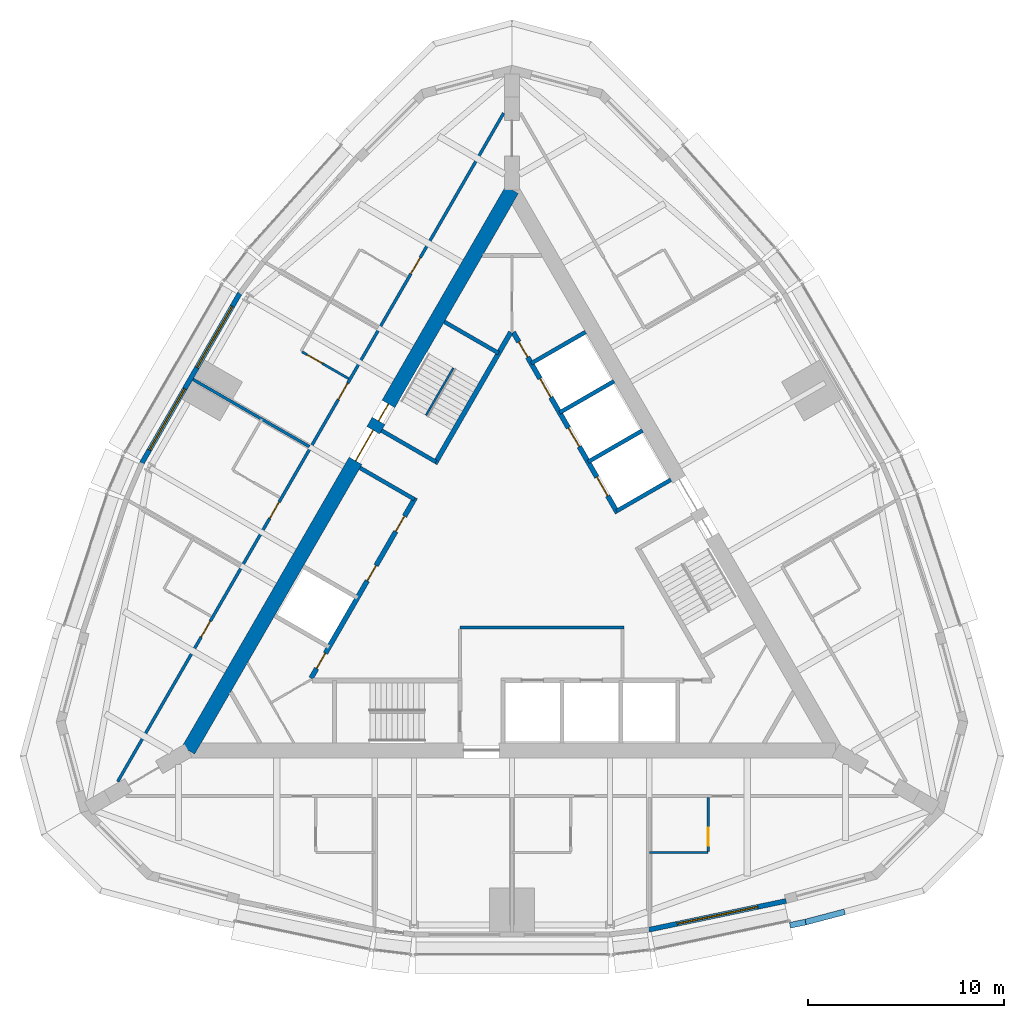
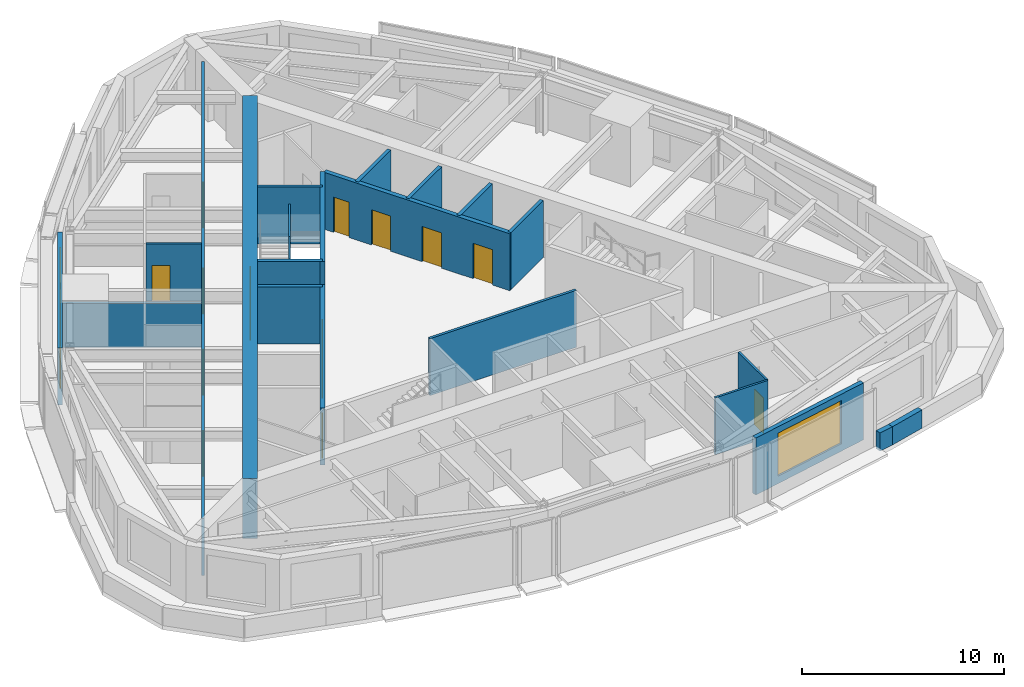
# One storey, part 9 of 13: 22 walls, 15 doors, 3 windows, 18 openings.
"""IFC4 building model written with IfcOpenShell, lengths in metres."""

from ifc_helpers import new_model, si_unit, direction, frame, frame_2d, origin, place, context, subcontext, project, spatial, rectangle, extrude, material, layer, layer_set, type_object, element, fill, save


model = new_model("IFC4")

# Units and contexts
model_context = context("Model", 3, precision=1e-05, world=origin(), true_north=direction((0.0, 1.0)))
body_context = subcontext(model_context, "Body", "Model", "MODEL_VIEW")
ifc_project = project(units=[si_unit("LENGTHUNIT", "METRE"), si_unit("AREAUNIT", "SQUARE_METRE"), si_unit("VOLUMEUNIT", "CUBIC_METRE"), si_unit("PLANEANGLEUNIT", "RADIAN"), si_unit("MASSUNIT", "GRAM", prefix="KILO")], contexts=[model_context])

# Site, building, storey
site_placement = place(None, origin())
site = spatial("IfcSite", under=ifc_project, at=site_placement, CompositionType="ELEMENT")
building_placement = place(site_placement, origin())
building = spatial("IfcBuilding", under=site, at=building_placement, Name="Trikona Tower", CompositionType="ELEMENT")
storey_placement = place(building_placement, frame((0.0, 0.0, 239.300048828125)))
storey = spatial("IfcBuildingStorey", under=building, at=storey_placement, Name="L63", CompositionType="ELEMENT", Elevation=239.300048828125)

# Wall
ifc_material_1 = material(Name="Metal stud and cement board", Category="gypsum")
ifc_layer_1 = layer(ifc_material_1, 0.1201171875)
ifc_layer_set_1 = layer_set([ifc_layer_1], Name="Bathroom wall 120")
wall_type_1 = type_object("IfcWallType", Name="Bathroom wall 120", PredefinedType="PLUMBINGWALL", material=ifc_layer_set_1)
wall_1_placement = place(storey_placement, frame((7.0, -14.726318359375, 0.0), z_axis=(0.0, 0.0, 1.0), x_axis=(1.0, 0.0, 0.0)))
element("IfcWall", 1, at=wall_1_placement, inside=storey, type_object=wall_type_1, Name="Bathroom wall 6303", PredefinedType="PLUMBINGWALL", context=body_context, shape_type="SweptSolid", body=[
    extrude(rectangle(XDim=3.0, YDim=0.1201171875, at=frame_2d((1.5, 0.0))), origin(), (0.0, 0.0, 1.0), 3.43505859375),
])

# Wall, opening, door
wall_2_placement = place(storey_placement, frame((10.0, -11.92626953125, 0.0), z_axis=(0.0, 0.0, 1.0), x_axis=(0.0, -1.0, 0.0)))
wall_2 = element("IfcWall", 2, at=wall_2_placement, inside=storey, type_object=wall_type_1, Name="Bathroom wall 6303", PredefinedType="PLUMBINGWALL", context=body_context, shape_type="SweptSolid", body=[
    extrude(rectangle(XDim=2.739990234375, YDim=0.1201171875, at=frame_2d((1.3701171875, 0.0))), origin(), (0.0, 0.0, 1.0), 3.43505859375),
])
opening_1_placement = place(wall_2_placement, frame((1.550048828125, 0.0, 0.0)))
opening_1 = element("IfcOpeningElement", 3, at=opening_1_placement, cuts=wall_2, Name="Opening D2", PredefinedType="OPENING", context=body_context, shape_type="SweptSolid", body=[
    extrude(rectangle(XDim=0.89990234375, YDim=2.1298828125, at=frame_2d((0.449951171875, 1.06494140625))), frame((0.0, 0.070068359375, 0.0), z_axis=(0.0, -1.0, 0.0), x_axis=(1.0, 0.0, 0.0)), (0.0, 0.0, 1.0), 0.14013671875),
])
ifc_material_2 = material(Name="Steel door frame with solid-core timber leaf", Category="steel")
door_type_1 = type_object("IfcDoorType", Name="Bathroom door 900x2130", OperationType="SLIDING_TO_LEFT", PredefinedType="DOOR", material=ifc_material_2)
door_1_placement = place(opening_1_placement, origin())
door_1 = element("IfcDoor", 4, at=door_1_placement, inside=storey, type_object=door_type_1, Name="Bathroom door 6303", OperationType="SLIDING_TO_LEFT", OverallHeight=2.1298828125, OverallWidth=0.89990234375, PredefinedType="DOOR", context=body_context, shape_type="SweptSolid", body=[
    extrude(rectangle(XDim=0.89990234375, YDim=2.1298828125, at=frame_2d((0.449951171875, 1.06494140625))), frame((0.0, 0.02490234375, 0.0), z_axis=(0.0, -1.0, 0.0), x_axis=(1.0, 0.0, 0.0)), (0.0, 0.0, 1.0), 0.050048828125),
])
fill(opening_1, door_1)

wall_3_placement = place(storey_placement, frame((-8.32861328125, 9.42724609375, 0.0), z_axis=(0.0, 0.0, 1.0), x_axis=(-0.866035715982, 0.499982138324, 0.0)))
wall_3 = element("IfcWall", 5, at=wall_3_placement, inside=storey, type_object=wall_type_1, Name="Bathroom wall 6307", PredefinedType="PLUMBINGWALL", context=body_context, shape_type="SweptSolid", body=[
    extrude(rectangle(XDim=2.73974609375, YDim=0.1201171875, at=frame_2d((1.369873046875, 0.0))), origin(), (0.0, 0.0, 1.0), 3.43505859375),
])
opening_2_placement = place(wall_3_placement, frame((1.550048828125, 0.0, 0.0)))
opening_2 = element("IfcOpeningElement", 6, at=opening_2_placement, cuts=wall_3, Name="Opening D2", PredefinedType="OPENING", context=body_context, shape_type="SweptSolid", body=[
    extrude(rectangle(XDim=0.89990234375, YDim=2.1298828125, at=frame_2d((0.449951171875, 1.06494140625))), frame((0.0, 0.070068359375, 0.0), z_axis=(0.0, -1.0, 0.0), x_axis=(1.0, 0.0, 0.0)), (0.0, 0.0, 1.0), 0.14013671875),
])
door_2_placement = place(opening_2_placement, origin())
door_2 = element("IfcDoor", 7, at=door_2_placement, inside=storey, type_object=door_type_1, Name="Bathroom door 6307", OperationType="SLIDING_TO_LEFT", OverallHeight=2.1298828125, OverallWidth=0.89990234375, PredefinedType="DOOR", context=body_context, shape_type="SweptSolid", body=[
    extrude(rectangle(XDim=0.89990234375, YDim=2.1298828125, at=frame_2d((0.449951171875, 1.06494140625))), frame((0.0, 0.02490234375, 0.0), z_axis=(0.0, -1.0, 0.0), x_axis=(1.0, 0.0, 0.0)), (0.0, 0.0, 1.0), 0.050048828125),
])
fill(opening_2, door_2)

# Wall, openings, doors
ifc_material_3 = material(Name="Concrete f'c 10000 psi", Category="concrete")
ifc_layer_2 = layer(ifc_material_3, 0.75)
ifc_layer_set_2 = layer_set([ifc_layer_2], Name="Core wall 750")
wall_type_2 = type_object("IfcWallType", Name="Core wall 750", PredefinedType="SHEAR", material=ifc_layer_set_2)
wall_4_placement = place(storey_placement, frame((0.0, 19.052490234375, 0.0), z_axis=(0.0, 0.0, 1.0), x_axis=(-0.499999749417, -0.866025548458, 0.0)))
wall_4 = element("IfcWall", 8, at=wall_4_placement, inside=storey, type_object=wall_type_2, Name="Core wall C", PredefinedType="SHEAR", context=body_context, shape_type="SweptSolid", body=[
    extrude(rectangle(XDim=33.0, YDim=0.75, at=frame_2d((16.5, 0.0))), origin(), (0.0, 0.0, 1.0), 3.599853515625),
])
opening_3_placement = place(wall_4_placement, frame((14.14990234375, 0.0, 0.0)))
opening_3 = element("IfcOpeningElement", 9, at=opening_3_placement, cuts=wall_4, Name="Opening D6", PredefinedType="OPENING", context=body_context, shape_type="SweptSolid", body=[
    extrude(rectangle(XDim=1.800048828125, YDim=2.1298828125, at=frame_2d((0.89990234375, 1.06494140625))), frame((0.0, 0.385009765625, 0.0), z_axis=(0.0, -1.0, 0.0), x_axis=(1.0, 0.0, 0.0)), (0.0, 0.0, 1.0), 0.77001953125),
])
opening_4_placement = place(wall_4_placement, frame((12.60009765625, 0.0, 0.0)))
opening_4 = element("IfcOpeningElement", 10, at=opening_4_placement, cuts=wall_4, Name="Opening D5", PredefinedType="OPENING", context=body_context, shape_type="SweptSolid", body=[
    extrude(rectangle(XDim=1.0, YDim=2.1298828125, at=frame_2d((0.5, 1.06494140625))), frame((0.0, 0.385009765625, 0.0), z_axis=(0.0, -1.0, 0.0), x_axis=(1.0, 0.0, 0.0)), (0.0, 0.0, 1.0), 0.77001953125),
])
ifc_material_4 = material(Name="Hollow metal door and frame", Category="steel")
door_type_2 = type_object("IfcDoorType", Name="Lobby door pair 1800x2130", OperationType="DOUBLE_DOOR_SINGLE_SWING", PredefinedType="DOOR", material=ifc_material_4)
door_3_placement = place(opening_3_placement, origin())
door_3 = element("IfcDoor", 11, at=door_3_placement, inside=storey, type_object=door_type_2, Name="Lift lobby door C", OperationType="DOUBLE_DOOR_SINGLE_SWING", OverallHeight=2.1298828125, OverallWidth=1.800048828125, PredefinedType="DOOR", context=body_context, shape_type="SweptSolid", body=[
    extrude(rectangle(XDim=1.800048828125, YDim=2.1298828125, at=frame_2d((0.89990234375, 1.06494140625))), frame((0.0, 0.02490234375, 0.0), z_axis=(0.0, -1.0, 0.0), x_axis=(1.0, 0.0, 0.0)), (0.0, 0.0, 1.0), 0.050048828125),
])
fill(opening_3, door_3)
ifc_material_5 = material(Name="Hollow metal door and frame", Category="steel")
door_type_3 = type_object("IfcDoorType", Name="Stair door 1000x2130", OperationType="SINGLE_SWING_LEFT", PredefinedType="DOOR", material=ifc_material_5)
door_4_placement = place(opening_4_placement, origin())
door_4 = element("IfcDoor", 12, at=door_4_placement, inside=storey, type_object=door_type_3, Name="Stair C door", OperationType="SINGLE_SWING_RIGHT", OverallHeight=2.1298828125, OverallWidth=1.0, PredefinedType="DOOR", context=body_context, shape_type="SweptSolid", body=[
    extrude(rectangle(XDim=1.0, YDim=2.1298828125, at=frame_2d((0.5, 1.06494140625))), frame((0.0, 0.02490234375, 0.0), z_axis=(0.0, -1.0, 0.0), x_axis=(1.0, 0.0, 0.0)), (0.0, 0.0, 1.0), 0.050048828125),
])
fill(opening_4, door_4)

ifc_material_6 = material(Name="Metal stud and gypsum board, 1-hour", Category="gypsum")
ifc_layer_3 = layer(ifc_material_6, 0.14990234375)
ifc_layer_set_3 = layer_set([ifc_layer_3], Name="Corridor wall 150")
wall_type_3 = type_object("IfcWallType", Name="Corridor wall 150", PredefinedType="PARTITIONING", material=ifc_layer_set_3)
wall_5_placement = place(storey_placement, frame((-0.425048828125, 22.96630859375, 0.0), z_axis=(0.0, 0.0, 1.0), x_axis=(-0.500000265775, -0.866025250339, 0.0)))
wall_5 = element("IfcWall", 13, at=wall_5_placement, inside=storey, type_object=wall_type_3, Name="Corridor wall L63-3", PredefinedType="PARTITIONING", context=body_context, shape_type="SweptSolid", body=[
    extrude(rectangle(XDim=39.35400390625, YDim=0.14990234375, at=frame_2d((19.677001953125, 0.0))), origin(), (0.0, 0.0, 1.0), 3.43505859375),
])
opening_5_placement = place(wall_5_placement, frame((8.501953125, 0.0, 0.0)))
opening_5 = element("IfcOpeningElement", 14, at=opening_5_placement, cuts=wall_5, Name="Opening D1", PredefinedType="OPENING", context=body_context, shape_type="SweptSolid", body=[
    extrude(rectangle(XDim=0.949951171875, YDim=2.1298828125, at=frame_2d((0.47509765625, 1.06494140625))), frame((0.0, 0.0849609375, 0.0), z_axis=(0.0, -1.0, 0.0), x_axis=(1.0, 0.0, 0.0)), (0.0, 0.0, 1.0), 0.169921875),
])
opening_6_placement = place(wall_5_placement, frame((15.902099609375, 0.0, 0.0)))
opening_6 = element("IfcOpeningElement", 15, at=opening_6_placement, cuts=wall_5, Name="Opening D1", PredefinedType="OPENING", context=body_context, shape_type="SweptSolid", body=[
    extrude(rectangle(XDim=0.949951171875, YDim=2.1298828125, at=frame_2d((0.47509765625, 1.06494140625))), frame((0.0, 0.0849609375, 0.0), z_axis=(0.0, -1.0, 0.0), x_axis=(1.0, 0.0, 0.0)), (0.0, 0.0, 1.0), 0.169921875),
])
opening_7_placement = place(wall_5_placement, frame((22.902099609375, 0.0, 0.0)))
opening_7 = element("IfcOpeningElement", 16, at=opening_7_placement, cuts=wall_5, Name="Opening D1", PredefinedType="OPENING", context=body_context, shape_type="SweptSolid", body=[
    extrude(rectangle(XDim=0.949951171875, YDim=2.1298828125, at=frame_2d((0.47509765625, 1.06494140625))), frame((0.0, 0.0849609375, 0.0), z_axis=(0.0, -1.0, 0.0), x_axis=(1.0, 0.0, 0.0)), (0.0, 0.0, 1.0), 0.169921875),
])
opening_8_placement = place(wall_5_placement, frame((29.902099609375, 0.0, 0.0)))
opening_8 = element("IfcOpeningElement", 17, at=opening_8_placement, cuts=wall_5, Name="Opening D1", PredefinedType="OPENING", context=body_context, shape_type="SweptSolid", body=[
    extrude(rectangle(XDim=0.949951171875, YDim=2.1298828125, at=frame_2d((0.47509765625, 1.06494140625))), frame((0.0, 0.0849609375, 0.0), z_axis=(0.0, -1.0, 0.0), x_axis=(1.0, 0.0, 0.0)), (0.0, 0.0, 1.0), 0.169921875),
])
ifc_material_7 = material(Name="Steel door frame with solid-core timber leaf", Category="steel")
door_type_4 = type_object("IfcDoorType", Name="Guest room door 950x2130", OperationType="SINGLE_SWING_LEFT", PredefinedType="DOOR", material=ifc_material_7)
door_5_placement = place(opening_5_placement, origin())
door_5 = element("IfcDoor", 18, at=door_5_placement, inside=storey, type_object=door_type_4, Name="Room door 6306", OperationType="SINGLE_SWING_LEFT", OverallHeight=2.1298828125, OverallWidth=0.949951171875, PredefinedType="DOOR", context=body_context, shape_type="SweptSolid", body=[
    extrude(rectangle(XDim=0.949951171875, YDim=2.1298828125, at=frame_2d((0.47509765625, 1.06494140625))), frame((0.0, 0.02490234375, 0.0), z_axis=(0.0, -1.0, 0.0), x_axis=(1.0, 0.0, 0.0)), (0.0, 0.0, 1.0), 0.050048828125),
])
fill(opening_5, door_5)
door_6_placement = place(opening_6_placement, origin())
door_6 = element("IfcDoor", 19, at=door_6_placement, inside=storey, type_object=door_type_4, Name="Room door 6307", OperationType="SINGLE_SWING_RIGHT", OverallHeight=2.1298828125, OverallWidth=0.949951171875, PredefinedType="DOOR", context=body_context, shape_type="SweptSolid", body=[
    extrude(rectangle(XDim=0.949951171875, YDim=2.1298828125, at=frame_2d((0.47509765625, 1.06494140625))), frame((0.0, 0.02490234375, 0.0), z_axis=(0.0, -1.0, 0.0), x_axis=(1.0, 0.0, 0.0)), (0.0, 0.0, 1.0), 0.050048828125),
])
fill(opening_6, door_6)
door_7_placement = place(opening_7_placement, origin())
door_7 = element("IfcDoor", 20, at=door_7_placement, inside=storey, type_object=door_type_4, Name="Room door 6308", OperationType="SINGLE_SWING_LEFT", OverallHeight=2.1298828125, OverallWidth=0.949951171875, PredefinedType="DOOR", context=body_context, shape_type="SweptSolid", body=[
    extrude(rectangle(XDim=0.949951171875, YDim=2.1298828125, at=frame_2d((0.47509765625, 1.06494140625))), frame((0.0, 0.02490234375, 0.0), z_axis=(0.0, -1.0, 0.0), x_axis=(1.0, 0.0, 0.0)), (0.0, 0.0, 1.0), 0.050048828125),
])
fill(opening_7, door_7)
door_8_placement = place(opening_8_placement, origin())
door_8 = element("IfcDoor", 21, at=door_8_placement, inside=storey, type_object=door_type_4, Name="Room door 6309", OperationType="SINGLE_SWING_RIGHT", OverallHeight=2.1298828125, OverallWidth=0.949951171875, PredefinedType="DOOR", context=body_context, shape_type="SweptSolid", body=[
    extrude(rectangle(XDim=0.949951171875, YDim=2.1298828125, at=frame_2d((0.47509765625, 1.06494140625))), frame((0.0, 0.02490234375, 0.0), z_axis=(0.0, -1.0, 0.0), x_axis=(1.0, 0.0, 0.0)), (0.0, 0.0, 1.0), 0.050048828125),
])
fill(opening_8, door_8)

ifc_material_8 = material(Name="Concrete f'c 8000 psi", Category="concrete")
ifc_layer_4 = layer(ifc_material_8, 0.25)
ifc_layer_set_4 = layer_set([ifc_layer_4], Name="Hub wall 250")
wall_type_4 = type_object("IfcWallType", Name="Hub wall 250", PredefinedType="SOLIDWALL", material=ifc_layer_set_4)
wall_6_placement = place(storey_placement, frame((5.37890625, 2.5859375, 0.0), z_axis=(0.0, 0.0, 1.0), x_axis=(-0.500001375892, 0.866024609411, 0.0)))
wall_6 = element("IfcWall", 22, at=wall_6_placement, inside=storey, type_object=wall_type_4, Name="Lift lobby wall B2", PredefinedType="SOLIDWALL", context=body_context, shape_type="SweptSolid", body=[
    extrude(rectangle(XDim=10.6328125, YDim=0.25, at=frame_2d((5.31640625, 0.0))), origin(), (0.0, 0.0, 1.0), 3.43505859375),
])
opening_9_placement = place(wall_6_placement, frame((9.1640625, 0.0, 0.0)))
opening_9 = element("IfcOpeningElement", 23, at=opening_9_placement, cuts=wall_6, Name="Opening D14", PredefinedType="OPENING", context=body_context, shape_type="SweptSolid", body=[
    extrude(rectangle(XDim=0.89990234375, YDim=2.1298828125, at=frame_2d((0.449951171875, 1.06494140625))), frame((0.0, 0.135009765625, 0.0), z_axis=(0.0, -1.0, 0.0), x_axis=(1.0, 0.0, 0.0)), (0.0, 0.0, 1.0), 0.27001953125),
])
opening_10_placement = place(wall_6_placement, frame((1.0, 0.0, 0.0)))
opening_10 = element("IfcOpeningElement", 24, at=opening_10_placement, cuts=wall_6, Name="Opening LD", PredefinedType="OPENING", context=body_context, shape_type="SweptSolid", body=[
    extrude(rectangle(XDim=1.10009765625, YDim=2.1298828125, at=frame_2d((0.550048828125, 1.06494140625))), frame((0.0, 0.135009765625, 0.0), z_axis=(0.0, -1.0, 0.0), x_axis=(1.0, 0.0, 0.0)), (0.0, 0.0, 1.0), 0.27001953125),
])
opening_11_placement = place(wall_6_placement, frame((3.89990234375, 0.0, 0.0)))
opening_11 = element("IfcOpeningElement", 25, at=opening_11_placement, cuts=wall_6, Name="Opening LD", PredefinedType="OPENING", context=body_context, shape_type="SweptSolid", body=[
    extrude(rectangle(XDim=1.10009765625, YDim=2.1298828125, at=frame_2d((0.550048828125, 1.06494140625))), frame((0.0, 0.135009765625, 0.0), z_axis=(0.0, -1.0, 0.0), x_axis=(1.0, 0.0, 0.0)), (0.0, 0.0, 1.0), 0.27001953125),
])
opening_12_placement = place(wall_6_placement, frame((6.800048828125, 0.0, 0.0)))
opening_12 = element("IfcOpeningElement", 26, at=opening_12_placement, cuts=wall_6, Name="Opening LD", PredefinedType="OPENING", context=body_context, shape_type="SweptSolid", body=[
    extrude(rectangle(XDim=1.10009765625, YDim=2.1298828125, at=frame_2d((0.550048828125, 1.06494140625))), frame((0.0, 0.135009765625, 0.0), z_axis=(0.0, -1.0, 0.0), x_axis=(1.0, 0.0, 0.0)), (0.0, 0.0, 1.0), 0.27001953125),
])
ifc_material_9 = material(Name="Stainless steel lift landing door", Category="steel")
door_type_5 = type_object("IfcDoorType", Name="Lift landing door 1100x2130", OperationType="DOUBLE_DOOR_SLIDING", PredefinedType="USERDEFINED", material=ifc_material_9)
door_9_placement = place(opening_10_placement, origin())
door_9 = element("IfcDoor", 27, at=door_9_placement, inside=storey, type_object=door_type_5, Name="Lift landing door L3-1", ObjectType="LIFT LANDING DOOR", OperationType="DOUBLE_DOOR_SLIDING", OverallHeight=2.1298828125, OverallWidth=1.10009765625, PredefinedType="USERDEFINED", context=body_context, shape_type="SweptSolid", body=[
    extrude(rectangle(XDim=1.10009765625, YDim=2.1298828125, at=frame_2d((0.550048828125, 1.06494140625))), frame((0.0, 0.02490234375, 0.0), z_axis=(0.0, -1.0, 0.0), x_axis=(1.0, 0.0, 0.0)), (0.0, 0.0, 1.0), 0.050048828125),
])
fill(opening_10, door_9)
door_10_placement = place(opening_11_placement, origin())
door_10 = element("IfcDoor", 28, at=door_10_placement, inside=storey, type_object=door_type_5, Name="Lift landing door L3-2", ObjectType="LIFT LANDING DOOR", OperationType="DOUBLE_DOOR_SLIDING", OverallHeight=2.1298828125, OverallWidth=1.10009765625, PredefinedType="USERDEFINED", context=body_context, shape_type="SweptSolid", body=[
    extrude(rectangle(XDim=1.10009765625, YDim=2.1298828125, at=frame_2d((0.550048828125, 1.06494140625))), frame((0.0, 0.02490234375, 0.0), z_axis=(0.0, -1.0, 0.0), x_axis=(1.0, 0.0, 0.0)), (0.0, 0.0, 1.0), 0.050048828125),
])
fill(opening_11, door_10)
door_11_placement = place(opening_12_placement, origin())
door_11 = element("IfcDoor", 29, at=door_11_placement, inside=storey, type_object=door_type_5, Name="Lift landing door L3-3", ObjectType="LIFT LANDING DOOR", OperationType="DOUBLE_DOOR_SLIDING", OverallHeight=2.1298828125, OverallWidth=1.10009765625, PredefinedType="USERDEFINED", context=body_context, shape_type="SweptSolid", body=[
    extrude(rectangle(XDim=1.10009765625, YDim=2.1298828125, at=frame_2d((0.550048828125, 1.06494140625))), frame((0.0, 0.02490234375, 0.0), z_axis=(0.0, -1.0, 0.0), x_axis=(1.0, 0.0, 0.0)), (0.0, 0.0, 1.0), 0.050048828125),
])
fill(opening_12, door_11)
ifc_material_10 = material(Name="Hollow metal door and frame", Category="steel")
door_type_6 = type_object("IfcDoorType", Name="Service room door 900x2130", OperationType="SINGLE_SWING_LEFT", PredefinedType="DOOR", material=ifc_material_10)
door_12_placement = place(opening_9_placement, origin())
door_12 = element("IfcDoor", 30, at=door_12_placement, inside=storey, type_object=door_type_6, Name="Door Ice and vending ICE", OperationType="SINGLE_SWING_RIGHT", OverallHeight=2.1298828125, OverallWidth=0.89990234375, PredefinedType="DOOR", context=body_context, shape_type="SweptSolid", body=[
    extrude(rectangle(XDim=0.89990234375, YDim=2.1298828125, at=frame_2d((0.449951171875, 1.06494140625))), frame((0.0, 0.02490234375, 0.0), z_axis=(0.0, -1.0, 0.0), x_axis=(1.0, 0.0, 0.0)), (0.0, 0.0, 1.0), 0.050048828125),
])
fill(opening_9, door_12)

# Wall
wall_7_placement = place(storey_placement, frame((-0.0625, 11.794189453125, 0.0), z_axis=(0.0, 0.0, 1.0), x_axis=(-0.500006680225, -0.86602154692, 0.0)))
element("IfcWall", 31, at=wall_7_placement, inside=storey, type_object=wall_type_4, Name="Lift lobby wall C1", PredefinedType="SOLIDWALL", context=body_context, shape_type="SweptSolid", body=[
    extrude(rectangle(XDim=7.73291015625, YDim=0.25, at=frame_2d((3.866455078125, 0.0))), origin(), (0.0, 0.0, 1.0), 3.43505859375),
])

# Wall, openings, doors
wall_8_placement = place(storey_placement, frame((-4.928955078125, 3.365478515625, 0.0), z_axis=(0.0, 0.0, 1.0), x_axis=(-0.499991433582, -0.866030349552, 0.0)))
wall_8 = element("IfcWall", 32, at=wall_8_placement, inside=storey, type_object=wall_type_4, Name="Lift lobby wall C2", PredefinedType="SOLIDWALL", context=body_context, shape_type="SweptSolid", body=[
    extrude(rectangle(XDim=10.633056640625, YDim=0.25, at=frame_2d((5.31640625, 0.0))), origin(), (0.0, 0.0, 1.0), 3.43505859375),
])
opening_13_placement = place(wall_8_placement, frame((9.1640625, 0.0, 0.0)))
opening_13 = element("IfcOpeningElement", 33, at=opening_13_placement, cuts=wall_8, Name="Opening D14", PredefinedType="OPENING", context=body_context, shape_type="SweptSolid", body=[
    extrude(rectangle(XDim=0.89990234375, YDim=2.1298828125, at=frame_2d((0.449951171875, 1.06494140625))), frame((0.0, 0.135009765625, 0.0), z_axis=(0.0, -1.0, 0.0), x_axis=(1.0, 0.0, 0.0)), (0.0, 0.0, 1.0), 0.27001953125),
])
opening_14_placement = place(wall_8_placement, frame((1.10009765625, 0.0, 0.0)))
opening_14 = element("IfcOpeningElement", 34, at=opening_14_placement, cuts=wall_8, Name="Opening D14", PredefinedType="OPENING", context=body_context, shape_type="SweptSolid", body=[
    extrude(rectangle(XDim=0.89990234375, YDim=2.1298828125, at=frame_2d((0.449951171875, 1.06494140625))), frame((0.0, 0.135009765625, 0.0), z_axis=(0.0, -1.0, 0.0), x_axis=(1.0, 0.0, 0.0)), (0.0, 0.0, 1.0), 0.27001953125),
])
opening_15_placement = place(wall_8_placement, frame((4.0, 0.0, 0.0)))
opening_15 = element("IfcOpeningElement", 35, at=opening_15_placement, cuts=wall_8, Name="Opening D14", PredefinedType="OPENING", context=body_context, shape_type="SweptSolid", body=[
    extrude(rectangle(XDim=0.89990234375, YDim=2.1298828125, at=frame_2d((0.449951171875, 1.06494140625))), frame((0.0, 0.135009765625, 0.0), z_axis=(0.0, -1.0, 0.0), x_axis=(1.0, 0.0, 0.0)), (0.0, 0.0, 1.0), 0.27001953125),
])
door_13_placement = place(opening_13_placement, origin())
door_13 = element("IfcDoor", 36, at=door_13_placement, inside=storey, type_object=door_type_6, Name="Door Linen store LIN", OperationType="SINGLE_SWING_RIGHT", OverallHeight=2.1298828125, OverallWidth=0.89990234375, PredefinedType="DOOR", context=body_context, shape_type="SweptSolid", body=[
    extrude(rectangle(XDim=0.89990234375, YDim=2.1298828125, at=frame_2d((0.449951171875, 1.06494140625))), frame((0.0, 0.02490234375, 0.0), z_axis=(0.0, -1.0, 0.0), x_axis=(1.0, 0.0, 0.0)), (0.0, 0.0, 1.0), 0.050048828125),
])
fill(opening_13, door_13)
door_14_placement = place(opening_14_placement, origin())
door_14 = element("IfcDoor", 37, at=door_14_placement, inside=storey, type_object=door_type_6, Name="Door Amenity store AMS1", OperationType="SINGLE_SWING_LEFT", OverallHeight=2.1298828125, OverallWidth=0.89990234375, PredefinedType="DOOR", context=body_context, shape_type="SweptSolid", body=[
    extrude(rectangle(XDim=0.89990234375, YDim=2.1298828125, at=frame_2d((0.449951171875, 1.06494140625))), frame((0.0, 0.02490234375, 0.0), z_axis=(0.0, -1.0, 0.0), x_axis=(1.0, 0.0, 0.0)), (0.0, 0.0, 1.0), 0.050048828125),
])
fill(opening_14, door_14)
door_15_placement = place(opening_15_placement, origin())
door_15 = element("IfcDoor", 38, at=door_15_placement, inside=storey, type_object=door_type_6, Name="Door Amenity store AMS1", OperationType="SINGLE_SWING_RIGHT", OverallHeight=2.1298828125, OverallWidth=0.89990234375, PredefinedType="DOOR", context=body_context, shape_type="SweptSolid", body=[
    extrude(rectangle(XDim=0.89990234375, YDim=2.1298828125, at=frame_2d((0.449951171875, 1.06494140625))), frame((0.0, 0.02490234375, 0.0), z_axis=(0.0, -1.0, 0.0), x_axis=(1.0, 0.0, 0.0)), (0.0, 0.0, 1.0), 0.050048828125),
])
fill(opening_15, door_15)

# Wall, opening, window
ifc_material_11 = material(Name="Insulated precast concrete spandrel panel", Category="concrete")
ifc_layer_5 = layer(ifc_material_11, 0.25)
ifc_layer_set_5 = layer_set([ifc_layer_5], Name="Inner skin wall 250")
wall_type_5 = type_object("IfcWallType", Name="Inner skin wall 250", PredefinedType="STANDARD", material=ifc_layer_set_5)
wall_9_placement = place(storey_placement, frame((6.974365234375, -18.668212890625, 0.0), z_axis=(0.0, 0.0, 1.0), x_axis=(0.978654320409, 0.205513311355, 0.0)))
wall_9 = element("IfcWall", 39, at=wall_9_placement, inside=storey, type_object=wall_type_5, Name="External wall L63-04", PredefinedType="STANDARD", context=body_context, shape_type="SweptSolid", body=[
    extrude(rectangle(XDim=7.152587890625, YDim=0.25, at=frame_2d((3.576171875, 0.0))), origin(), (0.0, 0.0, 1.0), 3.43505859375),
])
opening_16_placement = place(wall_9_placement, frame((1.476318359375, 0.0, 0.449951171875)))
opening_16 = element("IfcOpeningElement", 40, at=opening_16_placement, cuts=wall_9, Name="Opening W4226", PredefinedType="OPENING", context=body_context, shape_type="SweptSolid", body=[
    extrude(rectangle(XDim=4.199951171875, YDim=2.60009765625, at=frame_2d((2.10009765625, 1.300048828125))), frame((0.0, 0.135009765625, 0.0), z_axis=(0.0, -1.0, 0.0), x_axis=(1.0, 0.0, 0.0)), (0.0, 0.0, 1.0), 0.27001953125),
])
ifc_material_12 = material(Name="Aluminium-framed double glazing", Category="aluminium")
window_type_1 = type_object("IfcWindowType", Name="Window 4200x2600", PartitioningType="SINGLE_PANEL", PredefinedType="WINDOW", material=ifc_material_12)
window_1_placement = place(opening_16_placement, origin())
window_1 = element("IfcWindow", 41, at=window_1_placement, inside=storey, type_object=window_type_1, Name="Window 6303", OverallHeight=2.60009765625, OverallWidth=4.199951171875, PartitioningType="SINGLE_PANEL", PredefinedType="WINDOW", context=body_context, shape_type="SweptSolid", body=[
    extrude(rectangle(XDim=4.199951171875, YDim=2.60009765625, at=frame_2d((2.10009765625, 1.300048828125))), frame((0.0, 0.030029296875, 0.0), z_axis=(0.0, -1.0, 0.0), x_axis=(1.0, 0.0, 0.0)), (0.0, 0.0, 1.0), 0.06005859375),
])
fill(opening_16, window_1)

# Wall, openings, windows
wall_10_placement = place(storey_placement, frame((-13.87255859375, 13.782958984375, 0.0), z_axis=(0.0, 0.0, 1.0), x_axis=(-0.499993662806, -0.866029062534, 0.0)))
wall_10 = element("IfcWall", 42, at=wall_10_placement, inside=storey, type_object=wall_type_5, Name="External wall L63-20", PredefinedType="STANDARD", context=body_context, shape_type="SweptSolid", body=[
    extrude(rectangle(XDim=10.000244140625, YDim=0.25, at=frame_2d((5.0, 0.0))), origin(), (0.0, 0.0, 1.0), 3.43505859375),
])
opening_17_placement = place(wall_10_placement, frame((0.77490234375, 0.0, 0.449951171875)))
opening_17 = element("IfcOpeningElement", 43, at=opening_17_placement, cuts=wall_10, Name="Opening W3626", PredefinedType="OPENING", context=body_context, shape_type="SweptSolid", body=[
    extrude(rectangle(XDim=3.60009765625, YDim=2.60009765625, at=frame_2d((1.800048828125, 1.300048828125))), frame((0.0, 0.135009765625, 0.0), z_axis=(0.0, -1.0, 0.0), x_axis=(1.0, 0.0, 0.0)), (0.0, 0.0, 1.0), 0.27001953125),
])
opening_18_placement = place(wall_10_placement, frame((5.625, 0.0, 0.449951171875)))
opening_18 = element("IfcOpeningElement", 44, at=opening_18_placement, cuts=wall_10, Name="Opening W3626", PredefinedType="OPENING", context=body_context, shape_type="SweptSolid", body=[
    extrude(rectangle(XDim=3.60009765625, YDim=2.60009765625, at=frame_2d((1.800048828125, 1.300048828125))), frame((0.0, 0.135009765625, 0.0), z_axis=(0.0, -1.0, 0.0), x_axis=(1.0, 0.0, 0.0)), (0.0, 0.0, 1.0), 0.27001953125),
])
ifc_material_13 = material(Name="Aluminium-framed double glazing", Category="aluminium")
window_type_2 = type_object("IfcWindowType", Name="Window 3600x2600", PartitioningType="SINGLE_PANEL", PredefinedType="WINDOW", material=ifc_material_13)
window_2_placement = place(opening_17_placement, origin())
window_2 = element("IfcWindow", 45, at=window_2_placement, inside=storey, type_object=window_type_2, Name="Window 6307", OverallHeight=2.60009765625, OverallWidth=3.60009765625, PartitioningType="SINGLE_PANEL", PredefinedType="WINDOW", context=body_context, shape_type="SweptSolid", body=[
    extrude(rectangle(XDim=3.60009765625, YDim=2.60009765625, at=frame_2d((1.800048828125, 1.300048828125))), frame((0.0, 0.030029296875, 0.0), z_axis=(0.0, -1.0, 0.0), x_axis=(1.0, 0.0, 0.0)), (0.0, 0.0, 1.0), 0.06005859375),
])
fill(opening_17, window_2)
window_3_placement = place(opening_18_placement, origin())
window_3 = element("IfcWindow", 46, at=window_3_placement, inside=storey, type_object=window_type_2, Name="Window 6308", OverallHeight=2.60009765625, OverallWidth=3.60009765625, PartitioningType="SINGLE_PANEL", PredefinedType="WINDOW", context=body_context, shape_type="SweptSolid", body=[
    extrude(rectangle(XDim=3.60009765625, YDim=2.60009765625, at=frame_2d((1.800048828125, 1.300048828125))), frame((0.0, 0.030029296875, 0.0), z_axis=(0.0, -1.0, 0.0), x_axis=(1.0, 0.0, 0.0)), (0.0, 0.0, 1.0), 0.06005859375),
])
fill(opening_18, window_3)

# Walls
ifc_material_14 = material(Name="Metal stud and gypsum board, 2-hour shaft wall", Category="gypsum")
ifc_layer_6 = layer(ifc_material_14, 0.14990234375)
ifc_layer_set_6 = layer_set([ifc_layer_6], Name="Lobby wall 150")
wall_type_6 = type_object("IfcWallType", Name="Lobby wall 150", PredefinedType="PARTITIONING", material=ifc_layer_set_6)
wall_11_placement = place(storey_placement, frame((-2.64990234375, -3.251220703125, 0.0), z_axis=(0.0, 0.0, 1.0), x_axis=(1.0, 0.0, 0.0)))
element("IfcWall", 47, at=wall_11_placement, inside=storey, type_object=wall_type_6, Name="Fire service lift lobby wall 1", PredefinedType="PARTITIONING", context=body_context, shape_type="SweptSolid", body=[
    extrude(rectangle(XDim=8.349853515625, YDim=0.14990234375, at=frame_2d((4.1748046875, 0.0))), origin(), (0.0, 0.0, 1.0), 3.43505859375),
])
ifc_material_15 = material(Name="Brick-faced precast concrete", Category="masonry")
ifc_layer_7 = layer(ifc_material_15, 0.300048828125)
ifc_layer_set_7 = layer_set([ifc_layer_7], Name="Parapet wall 300")
wall_type_7 = type_object("IfcWallType", Name="Parapet wall 300", PredefinedType="PARAPET", material=ifc_layer_set_7)
wall_12_placement = place(storey_placement, frame((16.96142578125, -17.7529296875, 0.0), z_axis=(0.0, 0.0, 1.0), x_axis=(-0.966988668416, -0.25481937751, 0.0)))
element("IfcWall", 48, at=wall_12_placement, inside=storey, type_object=wall_type_7, Name="Parapet L63-28", PredefinedType="PARAPET", context=body_context, shape_type="SweptSolid", body=[
    extrude(rectangle(XDim=2.063720703125, YDim=0.300048828125, at=frame_2d((1.03173828125, 0.0))), origin(), (0.0, 0.0, 1.0), 1.099853515625),
])
wall_13_placement = place(storey_placement, frame((14.9658203125, -18.27880859375, 0.0), z_axis=(0.0, 0.0, 1.0), x_axis=(-0.979437739826, -0.201746657479, 0.0)))
element("IfcWall", 49, at=wall_13_placement, inside=storey, type_object=wall_type_7, Name="Parapet L63-29", PredefinedType="PARAPET", context=body_context, shape_type="SweptSolid", body=[
    extrude(rectangle(XDim=0.808349609375, YDim=0.300048828125, at=frame_2d((0.404296875, 0.0))), origin(), (0.0, 0.0, 1.0), 1.099853515625),
])
ifc_material_16 = material(Name="Metal stud and gypsum board, 1-hour acoustic", Category="gypsum")
ifc_layer_8 = layer(ifc_material_16, 0.14990234375)
ifc_layer_set_8 = layer_set([ifc_layer_8], Name="Party wall 150")
wall_type_8 = type_object("IfcWallType", Name="Party wall 150", PredefinedType="PARTITIONING", material=ifc_layer_set_8)
wall_14_placement = place(storey_placement, frame((-10.32861328125, 5.963134765625, 0.0), z_axis=(0.0, 0.0, 1.0), x_axis=(-0.866011785882, 0.500023586156, 0.0)))
element("IfcWall", 50, at=wall_14_placement, inside=storey, type_object=wall_type_8, Name="Partition L63 F3 u0", PredefinedType="PARTITIONING", context=body_context, shape_type="SweptSolid", body=[
    extrude(rectangle(XDim=6.854248046875, YDim=0.14990234375, at=frame_2d((3.42724609375, 0.0))), origin(), (0.0, 0.0, 1.0), 2.677978515625),
])
ifc_material_17 = material(Name="Concrete f'c 8000 psi", Category="concrete")
ifc_layer_9 = layer(ifc_material_17, 0.199951171875)
ifc_layer_set_9 = layer_set([ifc_layer_9], Name="Shaft wall 200")
wall_type_9 = type_object("IfcWallType", Name="Shaft wall 200", PredefinedType="SOLIDWALL", material=ifc_layer_set_9)
wall_15_placement = place(storey_placement, frame((5.3291015625, 2.672607421875, 0.0), z_axis=(0.0, 0.0, 1.0), x_axis=(0.866022944154, 0.50000426018, 0.0)))
element("IfcWall", 51, at=wall_15_placement, inside=storey, type_object=wall_type_9, Name="Shaft wall B3", PredefinedType="SOLIDWALL", context=body_context, shape_type="SweptSolid", body=[
    extrude(rectangle(XDim=3.19970703125, YDim=0.199951171875, at=frame_2d((1.599853515625, 0.0))), origin(), (0.0, 0.0, 1.0), 3.43505859375),
])
for number, where, z_axis, x_axis, name in (
    (52, (3.87890625, 5.18408203125, 0.0), (0.0, 0.0, 1.0), (0.866042017984, 0.499971222258, 0.0), "Shaft wall B4"),
    (53, (2.428955078125, 7.695556640625, 0.0), (0.0, 0.0, 1.0), (0.866042017984, 0.499971222258, 0.0), "Shaft wall B5"),
    (54, (0.97900390625, 10.20703125, 0.0), (0.0, 0.0, 1.0), (0.866042017984, 0.499971222258, 0.0), "Shaft wall B6"),
    (55, (-4.97900390625, 3.27880859375, 0.0), (0.0, 0.0, 1.0), (-0.866042017984, 0.499971222258, 0.0), "Shaft wall C3"),
):
    element("IfcWall", number, at=place(storey_placement, frame(where, z_axis=z_axis, x_axis=x_axis)), inside=storey, type_object=wall_type_9, Name=name, PredefinedType="SOLIDWALL", context=body_context, shape_type="SweptSolid", body=[
        extrude(rectangle(XDim=3.199951171875, YDim=0.199951171875, at=frame_2d((1.60009765625, 0.0))), origin(), (0.0, 0.0, 1.0), 3.43505859375),
    ])
ifc_material_18 = material(Name="Concrete f'c 8000 psi", Category="concrete")
ifc_layer_10 = layer(ifc_material_18, 0.199951171875)
ifc_layer_set_10 = layer_set([ifc_layer_10], Name="Shaft wall 200 load-bearing")
wall_type_10 = type_object("IfcWallType", Name="Shaft wall 200 load-bearing", PredefinedType="SOLIDWALL", material=ifc_layer_set_10)
for number, where, z_axis, x_axis, name in (
    (56, (-0.678955078125, 10.7265625, 0.0), (0.0, 0.0, 1.0), (-0.866008981251, 0.500028443584, 0.0), "Shaft wall C1"),
    (57, (-3.87890625, 5.18408203125, 0.0), (0.0, 0.0, 1.0), (-0.866042017984, 0.499971222258, 0.0), "Shaft wall C2"),
):
    element("IfcWall", number, at=place(storey_placement, frame(where, z_axis=z_axis, x_axis=x_axis)), inside=storey, type_object=wall_type_10, Name=name, PredefinedType="SOLIDWALL", context=body_context, shape_type="SweptSolid", body=[
        extrude(rectangle(XDim=3.199951171875, YDim=0.199951171875, at=frame_2d((1.60009765625, 0.0))), origin(), (0.0, 0.0, 1.0), 3.43505859375),
    ])
ifc_material_19 = material(Name="Concrete f'c 5000 psi", Category="concrete")
ifc_layer_11 = layer(ifc_material_19, 0.10009765625)
ifc_layer_set_11 = layer_set([ifc_layer_11], Name="Stair spine wall 100")
wall_type_11 = type_object("IfcWallType", Name="Stair spine wall 100", PredefinedType="SOLIDWALL", material=ifc_layer_set_11)
wall_16_placement = place(storey_placement, frame((-2.98779296875, 9.9775390625, 0.0), z_axis=(0.0, 0.0, 1.0), x_axis=(-0.499992232847, -0.866029888106, 0.0)))
element("IfcWall", 58, at=wall_16_placement, inside=storey, type_object=wall_type_11, Name="Stair C spine wall L63", PredefinedType="SOLIDWALL", context=body_context, shape_type="SweptSolid", body=[
    extrude(rectangle(XDim=2.7939453125, YDim=0.10009765625, at=frame_2d((1.39697265625, 0.0))), origin(), (0.0, 0.0, 1.0), 3.599853515625),
])

save(model, "model.ifc")
